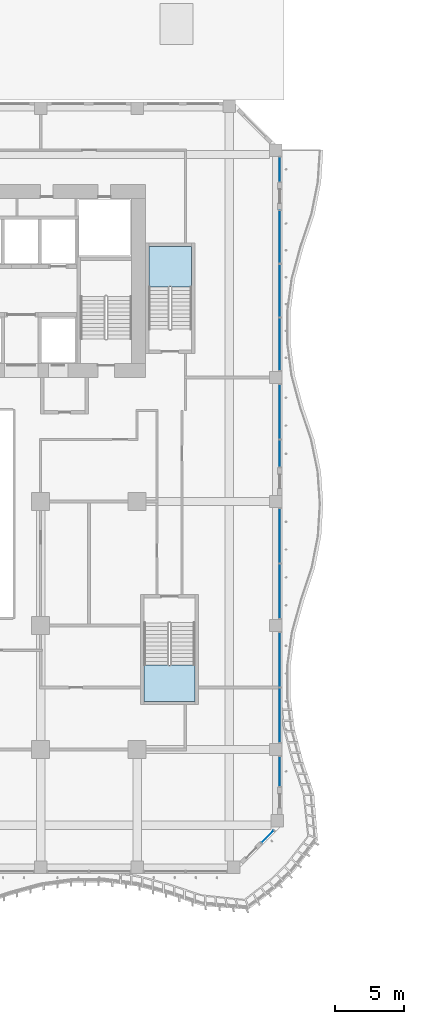
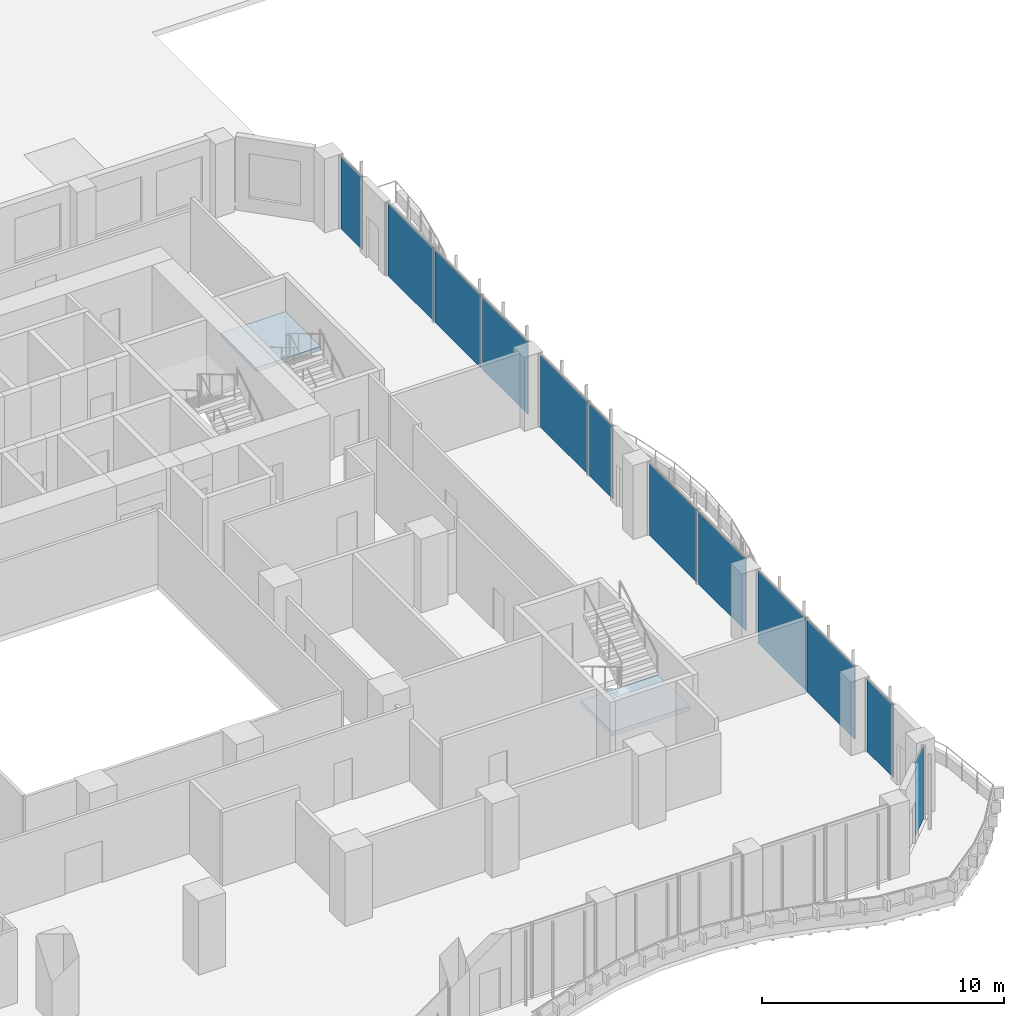
# One storey, part 13 of 29: 12 plates, 2 slabs, 14 elements without a shape of their own.
"""IFC4 building model written with IfcOpenShell, lengths in metres."""

from ifc_helpers import new_model, si_unit, direction, frame, origin, origin_2d, place, context, subcontext, project, spatial, polyline, rectangle, outline, extrude, source, transform, mapped, material, layer, layer_set, type_object, element, aggregate, save


model = new_model("IFC4")

# Units and contexts
model_context = context("Model", 3, precision=1e-05, world=origin(), true_north=direction((0.0, 1.0)))
body_context = subcontext(model_context, "Body", "Model", "MODEL_VIEW")
ifc_project = project(units=[si_unit("LENGTHUNIT", "METRE"), si_unit("AREAUNIT", "SQUARE_METRE"), si_unit("VOLUMEUNIT", "CUBIC_METRE"), si_unit("PLANEANGLEUNIT", "RADIAN"), si_unit("MASSUNIT", "GRAM", prefix="KILO")], contexts=[model_context])

# Site, building, storey
site_placement = place(None, origin())
site = spatial("IfcSite", under=ifc_project, at=site_placement, CompositionType="ELEMENT")
building_placement = place(site_placement, origin())
building = spatial("IfcBuilding", under=site, at=building_placement, Name="Kilnfold Tower and Market Hall", CompositionType="ELEMENT")
storey_placement = place(building_placement, frame((0.0, 0.0, 27.0)))
storey = spatial("IfcBuildingStorey", under=building, at=storey_placement, Name="L05", CompositionType="ELEMENT", Elevation=27.0)

# Curtain wall, plate
ifc_material_1 = material(Name="Aluminium and double glazing", Category="aluminium")
curtain_wall_type = type_object("IfcCurtainWallType", Name="CW OF1 VALLEY GLAZING", PredefinedType="NOTDEFINED", material=ifc_material_1)
curtain_wall_1_placement = place(storey_placement, origin())
curtain_wall_1 = element("IfcCurtainWall", 1, at=curtain_wall_1_placement, inside=storey, type_object=curtain_wall_type, Name="Curtain wall CW1 L05 SE", PredefinedType="NOTDEFINED")
ifc_material_2 = material(Name="Double glazed unit")
ifc_layer_1 = layer(ifc_material_2, 0.031982421875)
ifc_layer_set_1 = layer_set([ifc_layer_1], Name="Double glazed unit")
plate_type = type_object("IfcPlateType", Name="GLAZING PANEL 32", PredefinedType="CURTAIN_PANEL", material=ifc_layer_set_1)
shared_shape_1 = source(origin(), body_context, "Body", "SweptSolid", [
    extrude(rectangle(XDim=1.23876953125, YDim=0.031982421875, at=origin_2d()), origin(), (0.0, 0.0, 1.0), 3.659912109375),
])
plate_1_placement = place(storey_placement, frame((26.963623046875, -25.32421875, 0.0), z_axis=(0.0, 0.0, 1.0), x_axis=(0.707106781187, 0.707106781187, 0.0)))
plate_1 = element("IfcPlate", 2, at=plate_1_placement, type_object=plate_type, Name="CW1 panel 1.1", PredefinedType="CURTAIN_PANEL", context=body_context, shape_type="MappedRepresentation", body=[
    mapped(shared_shape_1, transform((0.0, 0.0, 0.0))),
])
aggregate(curtain_wall_1, [plate_1])

curtain_wall_2_placement = place(storey_placement, origin())
curtain_wall_2 = element("IfcCurtainWall", 3, at=curtain_wall_2_placement, inside=storey, type_object=curtain_wall_type, Name="Curtain wall CW1 L05 E", PredefinedType="NOTDEFINED")
shared_shape_2 = source(origin(), body_context, "Body", "SweptSolid", [
    extrude(rectangle(XDim=2.161865234375, YDim=0.031982421875, at=origin_2d()), origin(), (0.0, 0.0, 1.0), 3.659912109375),
])
plate_2_placement = place(storey_placement, frame((27.85009765625, -20.5908203125, 0.0), z_axis=(0.0, 0.0, 1.0), x_axis=(0.0, 1.0, 0.0)))
plate_2 = element("IfcPlate", 4, at=plate_2_placement, type_object=plate_type, Name="CW1 panel 1.1", PredefinedType="CURTAIN_PANEL", context=body_context, shape_type="MappedRepresentation", body=[
    mapped(shared_shape_2, transform((0.0, 0.0, 0.0))),
])
aggregate(curtain_wall_2, [plate_2])

curtain_wall_3_placement = place(storey_placement, origin())
curtain_wall_3 = element("IfcCurtainWall", 5, at=curtain_wall_3_placement, inside=storey, type_object=curtain_wall_type, Name="Curtain wall CW1 L05 E", PredefinedType="NOTDEFINED")
shared_shape_3 = source(origin(), body_context, "Body", "SweptSolid", [
    extrude(rectangle(XDim=3.929931640625, YDim=0.031982421875, at=origin_2d()), origin(), (0.0, 0.0, 1.0), 3.659912109375),
])
plate_3_placement = place(storey_placement, frame((27.85009765625, -16.52490234375, 0.0), z_axis=(0.0, 0.0, 1.0), x_axis=(0.0, 1.0, 0.0)))
plate_3 = element("IfcPlate", 6, at=plate_3_placement, type_object=plate_type, Name="CW1 panel 1.1", PredefinedType="CURTAIN_PANEL", context=body_context, shape_type="MappedRepresentation", body=[
    mapped(shared_shape_3, transform((0.0, 0.0, 0.0))),
])
aggregate(curtain_wall_3, [plate_3])

curtain_wall_4_placement = place(storey_placement, origin())
curtain_wall_4 = element("IfcCurtainWall", 7, at=curtain_wall_4_placement, inside=storey, type_object=curtain_wall_type, Name="Curtain wall CW1 L05 E", PredefinedType="NOTDEFINED")
plate_4_placement = place(storey_placement, frame((27.85009765625, -12.47509765625, 0.0), z_axis=(0.0, 0.0, 1.0), x_axis=(0.0, 1.0, 0.0)))
plate_4 = element("IfcPlate", 8, at=plate_4_placement, type_object=plate_type, Name="CW1 panel 1.1", PredefinedType="CURTAIN_PANEL", context=body_context, shape_type="MappedRepresentation", body=[
    mapped(shared_shape_3, transform((0.0, 0.0, 0.0))),
])
aggregate(curtain_wall_4, [plate_4])

curtain_wall_5_placement = place(storey_placement, origin())
curtain_wall_5 = element("IfcCurtainWall", 9, at=curtain_wall_5_placement, inside=storey, type_object=curtain_wall_type, Name="Curtain wall CW1 L05 E", PredefinedType="NOTDEFINED")
plate_5_placement = place(storey_placement, frame((27.85009765625, -7.52490234375, 0.0), z_axis=(0.0, 0.0, 1.0), x_axis=(0.0, 1.0, 0.0)))
plate_5 = element("IfcPlate", 10, at=plate_5_placement, type_object=plate_type, Name="CW1 panel 1.1", PredefinedType="CURTAIN_PANEL", context=body_context, shape_type="MappedRepresentation", body=[
    mapped(shared_shape_3, transform((0.0, 0.0, 0.0))),
])
aggregate(curtain_wall_5, [plate_5])

curtain_wall_6_placement = place(storey_placement, origin())
curtain_wall_6 = element("IfcCurtainWall", 11, at=curtain_wall_6_placement, inside=storey, type_object=curtain_wall_type, Name="Curtain wall CW1 L05 E", PredefinedType="NOTDEFINED")
plate_6_placement = place(storey_placement, frame((27.85009765625, -3.47509765625, 0.0), z_axis=(0.0, 0.0, 1.0), x_axis=(0.0, 1.0, 0.0)))
plate_6 = element("IfcPlate", 12, at=plate_6_placement, type_object=plate_type, Name="CW1 panel 1.1", PredefinedType="CURTAIN_PANEL", context=body_context, shape_type="MappedRepresentation", body=[
    mapped(shared_shape_3, transform((0.0, 0.0, 0.0))),
])
aggregate(curtain_wall_6, [plate_6])

curtain_wall_7_placement = place(storey_placement, origin())
curtain_wall_7 = element("IfcCurtainWall", 13, at=curtain_wall_7_placement, inside=storey, type_object=curtain_wall_type, Name="Curtain wall CW1 L05 E", PredefinedType="NOTDEFINED")
plate_7_placement = place(storey_placement, frame((27.85009765625, 5.52490234375, 0.0), z_axis=(0.0, 0.0, 1.0), x_axis=(0.0, 1.0, 0.0)))
plate_7 = element("IfcPlate", 14, at=plate_7_placement, type_object=plate_type, Name="CW1 panel 1.1", PredefinedType="CURTAIN_PANEL", context=body_context, shape_type="MappedRepresentation", body=[
    mapped(shared_shape_3, transform((0.0, 0.0, 0.0))),
])
aggregate(curtain_wall_7, [plate_7])

curtain_wall_8_placement = place(storey_placement, origin())
curtain_wall_8 = element("IfcCurtainWall", 15, at=curtain_wall_8_placement, inside=storey, type_object=curtain_wall_type, Name="Curtain wall CW1 L05 E", PredefinedType="NOTDEFINED")
shared_shape_4 = source(origin(), body_context, "Body", "SweptSolid", [
    extrude(rectangle(XDim=1.929931640625, YDim=0.031982421875, at=origin_2d()), origin(), (0.0, 0.0, 1.0), 3.659912109375),
])
plate_8_placement = place(storey_placement, frame((27.85009765625, 2.47509765625, 0.0), z_axis=(0.0, 0.0, 1.0), x_axis=(0.0, 1.0, 0.0)))
plate_8 = element("IfcPlate", 16, at=plate_8_placement, type_object=plate_type, Name="CW1 panel 1.1", PredefinedType="CURTAIN_PANEL", context=body_context, shape_type="MappedRepresentation", body=[
    mapped(shared_shape_4, transform((0.0, 0.0, 0.0))),
])
aggregate(curtain_wall_8, [plate_8])

curtain_wall_9_placement = place(storey_placement, origin())
curtain_wall_9 = element("IfcCurtainWall", 17, at=curtain_wall_9_placement, inside=storey, type_object=curtain_wall_type, Name="Curtain wall CW1 L05 E", PredefinedType="NOTDEFINED")
shared_shape_5 = source(origin(), body_context, "Body", "SweptSolid", [
    extrude(rectangle(XDim=3.780029296875, YDim=0.031982421875, at=origin_2d()), origin(), (0.0, 0.0, 1.0), 3.659912109375),
])
plate_9_placement = place(storey_placement, frame((27.85009765625, 10.39990234375, 0.0), z_axis=(0.0, 0.0, 1.0), x_axis=(0.0, 1.0, 0.0)))
plate_9 = element("IfcPlate", 18, at=plate_9_placement, type_object=plate_type, Name="CW1 panel 1.1", PredefinedType="CURTAIN_PANEL", context=body_context, shape_type="MappedRepresentation", body=[
    mapped(shared_shape_5, transform((0.0, 0.0, 0.0))),
])
aggregate(curtain_wall_9, [plate_9])

curtain_wall_10_placement = place(storey_placement, origin())
curtain_wall_10 = element("IfcCurtainWall", 19, at=curtain_wall_10_placement, inside=storey, type_object=curtain_wall_type, Name="Curtain wall CW1 L05 E", PredefinedType="NOTDEFINED")
plate_10_placement = place(storey_placement, frame((27.85009765625, 14.300048828125, 0.0), z_axis=(0.0, 0.0, 1.0), x_axis=(0.0, 1.0, 0.0)))
plate_10 = element("IfcPlate", 20, at=plate_10_placement, type_object=plate_type, Name="CW1 panel 1.1", PredefinedType="CURTAIN_PANEL", context=body_context, shape_type="MappedRepresentation", body=[
    mapped(shared_shape_5, transform((0.0, 0.0, 0.0))),
])
aggregate(curtain_wall_10, [plate_10])

curtain_wall_11_placement = place(storey_placement, origin())
curtain_wall_11 = element("IfcCurtainWall", 21, at=curtain_wall_11_placement, inside=storey, type_object=curtain_wall_type, Name="Curtain wall CW1 L05 E", PredefinedType="NOTDEFINED")
plate_11_placement = place(storey_placement, frame((27.85009765625, 18.199951171875, 0.0), z_axis=(0.0, 0.0, 1.0), x_axis=(0.0, 1.0, 0.0)))
plate_11 = element("IfcPlate", 22, at=plate_11_placement, type_object=plate_type, Name="CW1 panel 1.1", PredefinedType="CURTAIN_PANEL", context=body_context, shape_type="MappedRepresentation", body=[
    mapped(shared_shape_5, transform((0.0, 0.0, 0.0))),
])
aggregate(curtain_wall_11, [plate_11])

curtain_wall_12_placement = place(storey_placement, origin())
curtain_wall_12 = element("IfcCurtainWall", 23, at=curtain_wall_12_placement, inside=storey, type_object=curtain_wall_type, Name="Curtain wall CW1 L05 E", PredefinedType="NOTDEFINED")
shared_shape_6 = source(origin(), body_context, "Body", "SweptSolid", [
    extrude(rectangle(XDim=1.780029296875, YDim=0.031982421875, at=origin_2d()), origin(), (0.0, 0.0, 1.0), 3.659912109375),
])
plate_12_placement = place(storey_placement, frame((27.85009765625, 23.10009765625, 0.0), z_axis=(0.0, 0.0, 1.0), x_axis=(0.0, 1.0, 0.0)))
plate_12 = element("IfcPlate", 24, at=plate_12_placement, type_object=plate_type, Name="CW1 panel 1.1", PredefinedType="CURTAIN_PANEL", context=body_context, shape_type="MappedRepresentation", body=[
    mapped(shared_shape_6, transform((0.0, 0.0, 0.0))),
])
aggregate(curtain_wall_12, [plate_12])

# Stair, slab
ifc_material_3 = material(Name="Concrete C40/50", Category="concrete")
stair_type_1 = type_object("IfcStairType", Name="CORE STAIR 1800", PredefinedType="HALF_TURN_STAIR", material=ifc_material_3)
stair_1_placement = place(storey_placement, origin())
stair_1 = element("IfcStair", 25, at=stair_1_placement, inside=storey, type_object=stair_type_1, Name="L05 ST4", PredefinedType="HALF_TURN_STAIR")
ifc_material_4 = material(Name="Concrete C40/50", Category="concrete")
ifc_layer_2 = layer(ifc_material_4, 0.199951171875)
ifc_layer_set_2 = layer_set([ifc_layer_2], Name="Concrete C40/50")
slab_type = type_object("IfcSlabType", Name="CORE STAIR LANDING 200", PredefinedType="LANDING", material=ifc_layer_set_2)
shared_shape_7 = source(origin(), body_context, "Body", "SweptSolid", [
    extrude(outline(polyline([(18.0, -12.8798828125), (18.0, -15.5), (21.699951171875, -15.5), (21.699951171875, -12.8798828125), (18.0, -12.8798828125)])), origin(), (0.0, 0.0, 1.0), 0.199951171875),
])
slab_1_placement = place(storey_placement, frame((0.0, 0.0, 1.800048828125)))
slab_1 = element("IfcSlab", 26, at=slab_1_placement, type_object=slab_type, Name="ST4 landing 1", PredefinedType="LANDING", context=body_context, shape_type="MappedRepresentation", body=[
    mapped(shared_shape_7, transform((0.0, 0.0, 0.0))),
])
aggregate(stair_1, [slab_1])

ifc_material_5 = material(Name="Concrete C40/50", Category="concrete")
stair_type_2 = type_object("IfcStairType", Name="CORE STAIR 1500", PredefinedType="HALF_TURN_STAIR", material=ifc_material_5)
stair_2_placement = place(storey_placement, origin())
stair_2 = element("IfcStair", 27, at=stair_2_placement, inside=storey, type_object=stair_type_2, Name="L05 ST5", PredefinedType="HALF_TURN_STAIR")
shared_shape_8 = source(origin(), body_context, "Body", "SweptSolid", [
    extrude(outline(polyline([(21.449951171875, 14.580078125), (21.449951171875, 17.5), (18.35009765625, 17.5), (18.35009765625, 14.580078125), (21.449951171875, 14.580078125)])), origin(), (0.0, 0.0, 1.0), 0.199951171875),
])
slab_2_placement = place(storey_placement, frame((0.0, 0.0, 1.800048828125)))
slab_2 = element("IfcSlab", 28, at=slab_2_placement, type_object=slab_type, Name="ST5 landing 1", PredefinedType="LANDING", context=body_context, shape_type="MappedRepresentation", body=[
    mapped(shared_shape_8, transform((0.0, 0.0, 0.0))),
])
aggregate(stair_2, [slab_2])

save(model, "model.ifc")
